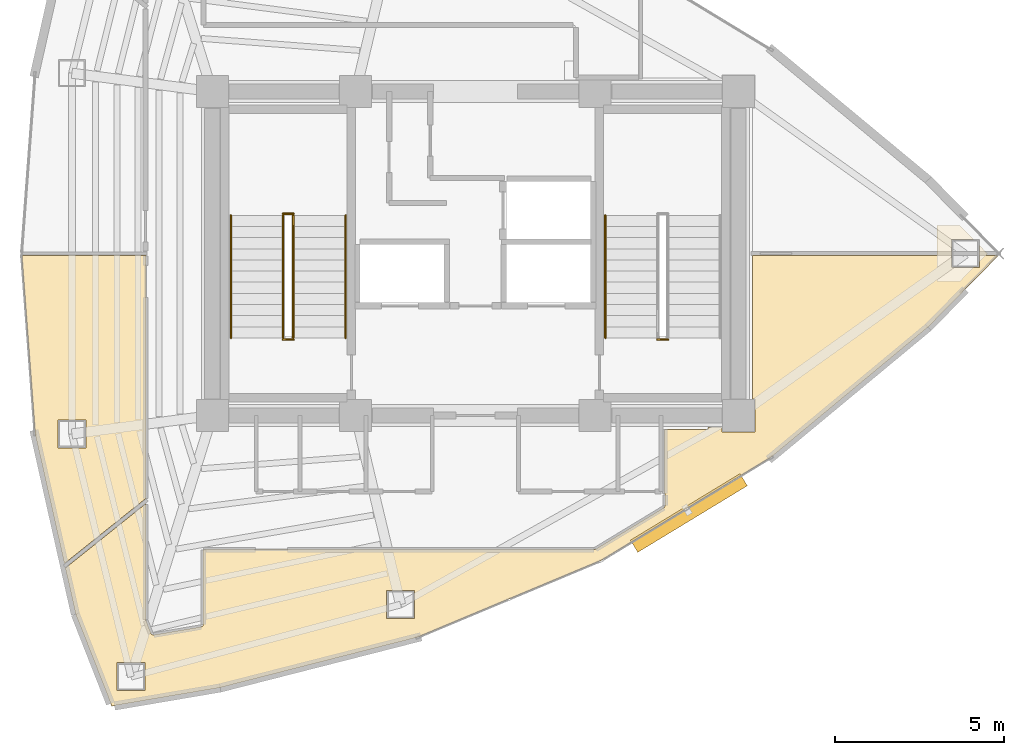
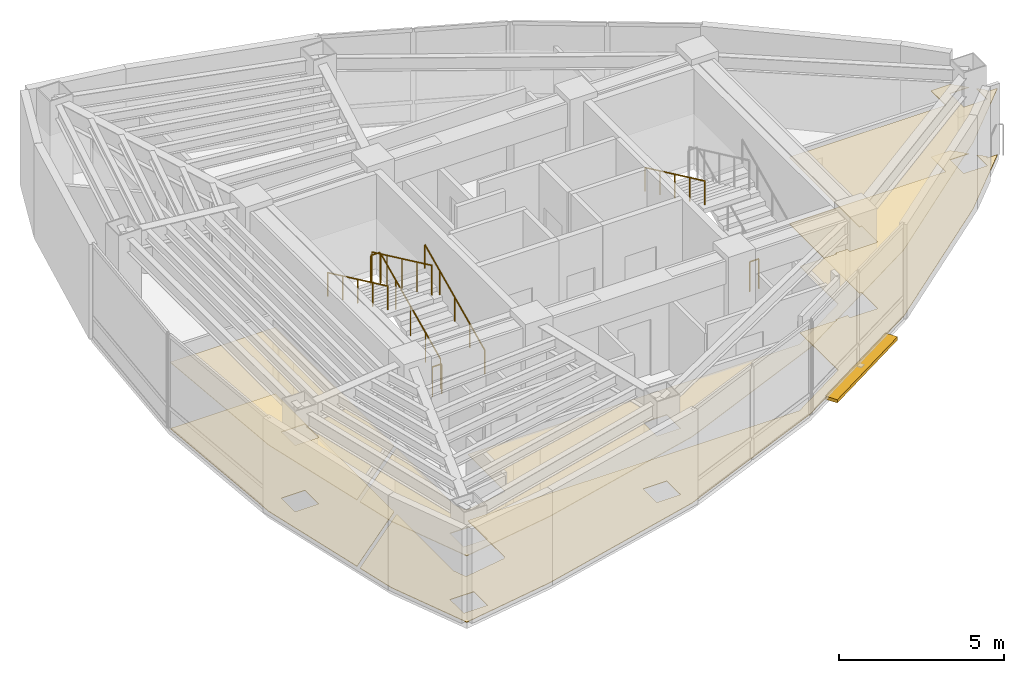
# One storey, part 14 of 15: 8 railings, 4 coverings, 1 shading device.
"""IFC4 building model written with IfcOpenShell, lengths in metres."""

from ifc_helpers import new_model, si_unit, direction, frame, origin, origin_2d, place, context, subcontext, project, spatial, polyline, rectangle, circle, outline, extrude, material, layer, layer_set, type_object, element, save


model = new_model("IFC4")

# Units and contexts
model_context = context("Model", 3, precision=1e-05, world=origin(), true_north=direction((0.0, 1.0)))
body_context = subcontext(model_context, "Body", "Model", "MODEL_VIEW")
ifc_project = project(units=[si_unit("LENGTHUNIT", "METRE"), si_unit("AREAUNIT", "SQUARE_METRE"), si_unit("VOLUMEUNIT", "CUBIC_METRE"), si_unit("PLANEANGLEUNIT", "RADIAN"), si_unit("MASSUNIT", "GRAM", prefix="KILO")], contexts=[model_context])

# Site, building, storey
site_placement = place(None, origin())
site = spatial("IfcSite", under=ifc_project, at=site_placement, CompositionType="ELEMENT")
building_placement = place(site_placement, origin())
building = spatial("IfcBuilding", under=site, at=building_placement, Name="Menara Vayukalpa", CompositionType="ELEMENT")
storey_placement = place(building_placement, frame((0.0, 0.0, 262.02001953125)))
storey = spatial("IfcBuildingStorey", under=building, at=storey_placement, Name="L66", CompositionType="ELEMENT", Elevation=262.02001953125)

# Coverings
ifc_material_1 = material(Name="Mineral Fibre Acoustic Ceiling Tile", Category="masonry")
ifc_layer_1 = layer(ifc_material_1, 0.02490234375)
ifc_layer_set_1 = layer_set([ifc_layer_1], Name="Mineral Fibre Acoustic Ceiling Tile")
covering_type_1 = type_object("IfcCoveringType", Name="COV-CLG1", PredefinedType="CEILING", material=ifc_layer_set_1)
covering_1_placement = place(storey_placement, frame((0.0, 0.0, 2.449951171875)))
element("IfcCovering", 1, at=covering_1_placement, inside=storey, type_object=covering_type_1, Name="L66 Technical Reference Library Acoustic Ceiling", PredefinedType="CEILING", context=body_context, shape_type="SweptSolid", body=[
    extrude(outline(polyline([(12.1533203125, 21.92919921875), (12.1533203125, 21.93017578125), (12.1533203125, 21.93115234375), (12.153564453125, 21.93212890625), (12.15380859375, 21.93310546875), (12.154052734375, 21.93408203125), (12.154541015625, 21.934814453125), (12.155029296875, 21.935791015625), (12.155517578125, 21.936279296875), (12.15625, 21.93701171875), (12.156982421875, 21.937744140625), (12.15771484375, 21.9384765625), (12.15869140625, 21.93896484375), (12.159423828125, 21.939208984375), (12.160400390625, 21.939697265625), (12.161376953125, 21.939697265625), (12.162353515625, 21.93994140625), (12.163330078125, 21.93994140625), (15.820068359375, 21.93994140625), (15.821044921875, 21.93994140625), (15.822021484375, 21.939697265625), (15.822998046875, 21.939697265625), (15.82373046875, 21.939208984375), (15.82470703125, 21.938720703125), (15.82568359375, 21.938232421875), (15.826416015625, 21.937744140625), (15.8271484375, 21.93701171875), (15.82763671875, 21.936279296875), (15.828369140625, 21.935546875), (15.828857421875, 21.934814453125), (15.8291015625, 21.933837890625), (15.82958984375, 21.932861328125), (15.829833984375, 21.931884765625), (15.830078125, 21.930908203125), (15.830078125, 21.929931640625), (15.830078125, 14.74560546875), (15.830078125, 14.74462890625), (15.829833984375, 14.74365234375), (15.82958984375, 14.74267578125), (15.8291015625, 14.74169921875), (15.828857421875, 14.74072265625), (15.828369140625, 14.739990234375), (15.82763671875, 14.7392578125), (15.826904296875, 14.738525390625), (15.826171875, 14.73779296875), (13.4267578125, 12.818359375), (13.426025390625, 12.817626953125), (13.42529296875, 12.817138671875), (13.42431640625, 12.81689453125), (13.423583984375, 12.81640625), (13.422607421875, 12.81640625), (13.421630859375, 12.816162109375), (13.420654296875, 12.816162109375), (13.419677734375, 12.816162109375), (13.418701171875, 12.81640625), (13.417724609375, 12.81640625), (13.416748046875, 12.81689453125), (13.416015625, 12.817138671875), (13.4150390625, 12.817626953125), (13.414306640625, 12.818359375), (13.41357421875, 12.81884765625), (13.4130859375, 12.819580078125), (13.412353515625, 12.8203125), (13.411865234375, 12.8212890625), (13.411376953125, 12.822021484375), (13.4111328125, 12.822998046875), (13.410888671875, 12.823974609375), (12.549072265625, 16.654052734375), (12.548828125, 16.655517578125), (12.1533203125, 21.92919921875)]), holes=[polyline([(14.053955078125, 17.068359375), (13.22412109375, 17.068359375), (13.22412109375, 16.23828125), (14.053955078125, 16.23828125), (14.053955078125, 17.068359375)])]), origin(), (0.0, 0.0, 1.0), 0.025146484375),
])
covering_2_placement = place(storey_placement, frame((0.0, 0.0, 2.449951171875)))
element("IfcCovering", 2, at=covering_2_placement, inside=storey, type_object=covering_type_1, Name="L66 Technical Reference Library Acoustic Ceiling", PredefinedType="CEILING", context=body_context, shape_type="SweptSolid", body=[
    extrude(outline(polyline([(23.878662109375, 10.624755859375), (23.877197265625, 10.624267578125), (18.028564453125, 9.1328125), (18.027587890625, 9.132568359375), (14.82861328125, 8.58935546875), (14.827392578125, 8.589111328125), (14.826416015625, 8.589111328125), (14.82568359375, 8.58935546875), (14.82470703125, 8.58935546875), (14.82373046875, 8.589599609375), (14.82275390625, 8.590087890625), (14.822021484375, 8.590576171875), (14.821044921875, 8.591064453125), (14.8203125, 8.591552734375), (14.819580078125, 8.59228515625), (14.81884765625, 8.593017578125), (14.818359375, 8.59375), (14.81787109375, 8.5947265625), (14.8173828125, 8.595458984375), (13.751953125, 11.308837890625), (13.751708984375, 11.309814453125), (13.75146484375, 11.310302734375), (13.445068359375, 12.672119140625), (13.44482421875, 12.673095703125), (13.44482421875, 12.674072265625), (13.44482421875, 12.675048828125), (13.445068359375, 12.676025390625), (13.4453125, 12.677001953125), (13.445556640625, 12.677978515625), (13.44580078125, 12.6787109375), (13.4462890625, 12.6796875), (13.447021484375, 12.680419921875), (13.44775390625, 12.68115234375), (13.448486328125, 12.681884765625), (13.448974609375, 12.682373046875), (13.44921875, 12.6826171875), (15.813720703125, 14.57421875), (15.814453125, 14.57470703125), (15.8154296875, 14.5751953125), (15.81640625, 14.57568359375), (15.817138671875, 14.575927734375), (15.818115234375, 14.576171875), (15.819091796875, 14.576416015625), (15.820068359375, 14.576416015625), (15.821044921875, 14.576416015625), (15.822021484375, 14.576171875), (15.822998046875, 14.575927734375), (15.823974609375, 14.57568359375), (15.82470703125, 14.5751953125), (15.82568359375, 14.57470703125), (15.826416015625, 14.57421875), (15.8271484375, 14.573486328125), (15.827880859375, 14.57275390625), (15.828369140625, 14.572021484375), (15.828857421875, 14.571044921875), (15.8291015625, 14.5703125), (15.82958984375, 14.5693359375), (15.829833984375, 14.568359375), (15.830078125, 14.5673828125), (15.830078125, 14.56640625), (15.830078125, 11.146484375), (15.830322265625, 11.1396484375), (15.831298828125, 11.13330078125), (15.832763671875, 11.126708984375), (15.8349609375, 11.12060546875), (15.984619140625, 10.7392578125), (15.987548828125, 10.732666015625), (15.990966796875, 10.726806640625), (15.994873046875, 10.72119140625), (15.999267578125, 10.716064453125), (16.00439453125, 10.71142578125), (16.009765625, 10.707275390625), (16.015625, 10.70361328125), (16.021484375, 10.700439453125), (16.02783203125, 10.697998046875), (16.034423828125, 10.6962890625), (16.041259765625, 10.695068359375), (16.048095703125, 10.694580078125), (16.054931640625, 10.694580078125), (16.06201171875, 10.695556640625), (17.471435546875, 10.934814453125), (17.478515625, 10.936279296875), (17.485107421875, 10.938720703125), (17.49169921875, 10.94140625), (17.497802734375, 10.94482421875), (17.50341796875, 10.94921875), (17.5087890625, 10.95361328125), (17.513427734375, 10.958740234375), (17.517822265625, 10.96435546875), (17.521484375, 10.97021484375), (17.5244140625, 10.9765625), (17.52685546875, 10.983154296875), (17.528564453125, 10.989990234375), (17.529541015625, 10.996826171875), (17.530029296875, 11.004150390625), (17.530029296875, 13.2099609375), (17.530029296875, 13.2109375), (17.5302734375, 13.2119140625), (17.530517578125, 13.212890625), (17.53076171875, 13.2138671875), (17.53125, 13.214599609375), (17.53173828125, 13.215576171875), (17.5322265625, 13.21630859375), (17.532958984375, 13.217041015625), (17.53369140625, 13.2177734375), (17.534423828125, 13.21826171875), (17.535400390625, 13.21875), (17.5361328125, 13.21923828125), (17.537109375, 13.219482421875), (17.5380859375, 13.2197265625), (17.5390625, 13.219970703125), (17.5400390625, 13.219970703125), (29.109619140625, 13.219970703125), (29.11669921875, 13.220458984375), (29.12353515625, 13.221435546875), (29.13037109375, 13.22314453125), (29.13720703125, 13.2255859375), (29.153076171875, 13.232177734375), (29.157958984375, 13.234375), (29.16259765625, 13.237060546875), (31.18603515625, 14.46630859375), (31.1923828125, 14.470458984375), (31.19775390625, 14.47509765625), (31.20263671875, 14.480224609375), (31.20703125, 14.48583984375), (31.2109375, 14.491943359375), (31.214111328125, 14.498291015625), (31.216552734375, 14.5048828125), (31.218505859375, 14.511962890625), (31.219482421875, 14.51904296875), (31.219970703125, 14.5263671875), (31.219970703125, 14.849609375), (31.219482421875, 14.856689453125), (31.21875, 14.86376953125), (31.217041015625, 14.870361328125), (31.214599609375, 14.876708984375), (31.2119140625, 14.8828125), (31.211669921875, 14.883056640625), (31.211181640625, 14.8837890625), (31.210693359375, 14.884765625), (31.21044921875, 14.8857421875), (31.210205078125, 14.88671875), (31.2099609375, 14.8876953125), (31.2099609375, 14.888671875), (31.2099609375, 16.780029296875), (31.2099609375, 16.781005859375), (31.210205078125, 16.781982421875), (31.21044921875, 16.782958984375), (31.210693359375, 16.78369140625), (31.211181640625, 16.78466796875), (31.211669921875, 16.78564453125), (31.21240234375, 16.786376953125), (31.212890625, 16.787109375), (31.213623046875, 16.78759765625), (31.21435546875, 16.788330078125), (31.21533203125, 16.788818359375), (31.21630859375, 16.789306640625), (31.217041015625, 16.78955078125), (31.218017578125, 16.789794921875), (31.218994140625, 16.7900390625), (31.219970703125, 16.7900390625), (32.489990234375, 16.7900390625), (32.489990234375, 16.85009765625), (32.909912109375, 16.85009765625), (32.909912109375, 16.7099609375), (33.889892578125, 16.7099609375), (33.889892578125, 17.68994140625), (33.81005859375, 17.68994140625), (33.81005859375, 21.929931640625), (33.81005859375, 21.930908203125), (33.810302734375, 21.931884765625), (33.810302734375, 21.932861328125), (33.810791015625, 21.933837890625), (33.811279296875, 21.934814453125), (33.811767578125, 21.935546875), (33.812255859375, 21.936279296875), (33.81298828125, 21.93701171875), (33.813720703125, 21.937744140625), (33.814453125, 21.938232421875), (33.815185546875, 21.938720703125), (33.816162109375, 21.939208984375), (33.817138671875, 21.939697265625), (33.818115234375, 21.939697265625), (33.819091796875, 21.93994140625), (33.820068359375, 21.93994140625), (39.286865234375, 21.93994140625), (39.286865234375, 22.8349609375), (39.959716796875, 22.8349609375), (40.3720703125, 22.4150390625), (39.706787109375, 22.4150390625), (39.706787109375, 21.5849609375), (40.536865234375, 21.5849609375), (40.536865234375, 22.2470703125), (40.779541015625, 22.0), (40.720703125, 21.93994140625), (41.0751953125, 21.93994140625), (41.076171875, 21.93994140625), (41.076904296875, 21.939697265625), (41.077880859375, 21.939697265625), (41.078857421875, 21.939208984375), (41.079833984375, 21.938720703125), (41.08056640625, 21.938232421875), (41.081298828125, 21.937744140625), (41.08203125, 21.93701171875), (41.082763671875, 21.936279296875), (41.08349609375, 21.935546875), (41.083984375, 21.934814453125), (41.084228515625, 21.933837890625), (41.084716796875, 21.93310546875), (41.0849609375, 21.931884765625), (41.0849609375, 21.930908203125), (41.085205078125, 21.93017578125), (41.085205078125, 21.92919921875), (41.0849609375, 21.927978515625), (41.084716796875, 21.92724609375), (41.08447265625, 21.92626953125), (41.083984375, 21.92529296875), (41.08349609375, 21.924560546875), (41.0830078125, 21.923583984375), (41.082275390625, 21.923095703125), (39.021240234375, 19.82373046875), (39.0205078125, 19.822998046875), (34.374755859375, 15.97021484375), (34.37353515625, 15.969482421875), (29.3271484375, 12.904052734375), (29.326416015625, 12.90380859375), (29.32568359375, 12.9033203125), (23.878662109375, 10.624755859375)]), holes=[polyline([(14.97412109375, 9.870361328125), (14.97412109375, 9.040283203125), (15.80419921875, 9.040283203125), (15.80419921875, 9.870361328125), (14.97412109375, 9.870361328125)]), polyline([(23.796875, 12.01025390625), (22.966796875, 12.01025390625), (22.966796875, 11.18017578125), (23.796875, 11.18017578125), (23.796875, 12.01025390625)])]), origin(), (0.0, 0.0, 1.0), 0.025146484375),
])
ifc_material_2 = material(Name="Porcelain Stoneware Floor Tile", Category="masonry")
ifc_layer_2 = layer(ifc_material_2, 0.02001953125)
ifc_layer_set_2 = layer_set([ifc_layer_2], Name="Porcelain Stoneware Floor Tile")
covering_type_2 = type_object("IfcCoveringType", Name="COV-FLR1", PredefinedType="FLOORING", material=ifc_layer_set_2)
covering_3_placement = place(storey_placement, origin())
element("IfcCovering", 3, at=covering_3_placement, inside=storey, type_object=covering_type_2, Name="L66 Technical Reference Library Porcelain Flooring", PredefinedType="FLOORING", context=body_context, shape_type="SweptSolid", body=[
    extrude(outline(polyline([(12.1533203125, 21.92919921875), (12.1533203125, 21.93017578125), (12.1533203125, 21.93115234375), (12.153564453125, 21.93212890625), (12.15380859375, 21.93310546875), (12.154052734375, 21.93408203125), (12.154541015625, 21.934814453125), (12.155029296875, 21.935791015625), (12.155517578125, 21.936279296875), (12.15625, 21.93701171875), (12.156982421875, 21.937744140625), (12.15771484375, 21.9384765625), (12.15869140625, 21.93896484375), (12.159423828125, 21.939208984375), (12.160400390625, 21.939697265625), (12.161376953125, 21.939697265625), (12.162353515625, 21.93994140625), (12.163330078125, 21.93994140625), (15.820068359375, 21.93994140625), (15.821044921875, 21.93994140625), (15.822021484375, 21.939697265625), (15.822998046875, 21.939697265625), (15.82373046875, 21.939208984375), (15.82470703125, 21.938720703125), (15.82568359375, 21.938232421875), (15.826416015625, 21.937744140625), (15.8271484375, 21.93701171875), (15.82763671875, 21.936279296875), (15.828369140625, 21.935546875), (15.828857421875, 21.934814453125), (15.8291015625, 21.933837890625), (15.82958984375, 21.932861328125), (15.829833984375, 21.931884765625), (15.830078125, 21.930908203125), (15.830078125, 21.929931640625), (15.830078125, 14.74560546875), (15.830078125, 14.74462890625), (15.829833984375, 14.74365234375), (15.82958984375, 14.74267578125), (15.8291015625, 14.74169921875), (15.828857421875, 14.74072265625), (15.828369140625, 14.739990234375), (15.82763671875, 14.7392578125), (15.826904296875, 14.738525390625), (15.826171875, 14.73779296875), (13.4267578125, 12.818359375), (13.426025390625, 12.817626953125), (13.42529296875, 12.817138671875), (13.42431640625, 12.81689453125), (13.423583984375, 12.81640625), (13.422607421875, 12.81640625), (13.421630859375, 12.816162109375), (13.420654296875, 12.816162109375), (13.419677734375, 12.816162109375), (13.418701171875, 12.81640625), (13.417724609375, 12.81640625), (13.416748046875, 12.81689453125), (13.416015625, 12.817138671875), (13.4150390625, 12.817626953125), (13.414306640625, 12.818359375), (13.41357421875, 12.81884765625), (13.4130859375, 12.819580078125), (13.412353515625, 12.8203125), (13.411865234375, 12.8212890625), (13.411376953125, 12.822021484375), (13.4111328125, 12.822998046875), (13.410888671875, 12.823974609375), (12.549072265625, 16.654052734375), (12.548828125, 16.655517578125), (12.1533203125, 21.92919921875)]), holes=[polyline([(14.053955078125, 17.068359375), (13.22412109375, 17.068359375), (13.22412109375, 16.23828125), (14.053955078125, 16.23828125), (14.053955078125, 17.068359375)])]), origin(), (0.0, 0.0, 1.0), 0.02001953125),
])
covering_4_placement = place(storey_placement, origin())
element("IfcCovering", 4, at=covering_4_placement, inside=storey, type_object=covering_type_2, Name="L66 Technical Reference Library Porcelain Flooring", PredefinedType="FLOORING", context=body_context, shape_type="SweptSolid", body=[
    extrude(outline(polyline([(23.878662109375, 10.624755859375), (23.877197265625, 10.624267578125), (18.028564453125, 9.1328125), (18.027587890625, 9.132568359375), (14.82861328125, 8.58935546875), (14.827392578125, 8.589111328125), (14.826416015625, 8.589111328125), (14.82568359375, 8.58935546875), (14.82470703125, 8.58935546875), (14.82373046875, 8.589599609375), (14.82275390625, 8.590087890625), (14.822021484375, 8.590576171875), (14.821044921875, 8.591064453125), (14.8203125, 8.591552734375), (14.819580078125, 8.59228515625), (14.81884765625, 8.593017578125), (14.818359375, 8.59375), (14.81787109375, 8.5947265625), (14.8173828125, 8.595458984375), (13.751953125, 11.308837890625), (13.751708984375, 11.309814453125), (13.75146484375, 11.310302734375), (13.445068359375, 12.672119140625), (13.44482421875, 12.673095703125), (13.44482421875, 12.674072265625), (13.44482421875, 12.675048828125), (13.445068359375, 12.676025390625), (13.4453125, 12.677001953125), (13.445556640625, 12.677978515625), (13.44580078125, 12.6787109375), (13.4462890625, 12.6796875), (13.447021484375, 12.680419921875), (13.44775390625, 12.68115234375), (13.448486328125, 12.681884765625), (13.448974609375, 12.682373046875), (13.44921875, 12.6826171875), (15.813720703125, 14.57421875), (15.814453125, 14.57470703125), (15.8154296875, 14.5751953125), (15.81640625, 14.57568359375), (15.817138671875, 14.575927734375), (15.818115234375, 14.576171875), (15.819091796875, 14.576416015625), (15.820068359375, 14.576416015625), (15.821044921875, 14.576416015625), (15.822021484375, 14.576171875), (15.822998046875, 14.575927734375), (15.823974609375, 14.57568359375), (15.82470703125, 14.5751953125), (15.82568359375, 14.57470703125), (15.826416015625, 14.57421875), (15.8271484375, 14.573486328125), (15.827880859375, 14.57275390625), (15.828369140625, 14.572021484375), (15.828857421875, 14.571044921875), (15.8291015625, 14.5703125), (15.82958984375, 14.5693359375), (15.829833984375, 14.568359375), (15.830078125, 14.5673828125), (15.830078125, 14.56640625), (15.830078125, 11.146484375), (15.830322265625, 11.1396484375), (15.831298828125, 11.13330078125), (15.832763671875, 11.126708984375), (15.8349609375, 11.12060546875), (15.984619140625, 10.7392578125), (15.987548828125, 10.732666015625), (15.990966796875, 10.726806640625), (15.994873046875, 10.72119140625), (15.999267578125, 10.716064453125), (16.00439453125, 10.71142578125), (16.009765625, 10.707275390625), (16.015625, 10.70361328125), (16.021484375, 10.700439453125), (16.02783203125, 10.697998046875), (16.034423828125, 10.6962890625), (16.041259765625, 10.695068359375), (16.048095703125, 10.694580078125), (16.054931640625, 10.694580078125), (16.06201171875, 10.695556640625), (17.471435546875, 10.934814453125), (17.478515625, 10.936279296875), (17.485107421875, 10.938720703125), (17.49169921875, 10.94140625), (17.497802734375, 10.94482421875), (17.50341796875, 10.94921875), (17.5087890625, 10.95361328125), (17.513427734375, 10.958740234375), (17.517822265625, 10.96435546875), (17.521484375, 10.97021484375), (17.5244140625, 10.9765625), (17.52685546875, 10.983154296875), (17.528564453125, 10.989990234375), (17.529541015625, 10.996826171875), (17.530029296875, 11.004150390625), (17.530029296875, 13.2099609375), (17.530029296875, 13.2109375), (17.5302734375, 13.2119140625), (17.530517578125, 13.212890625), (17.53076171875, 13.2138671875), (17.53125, 13.214599609375), (17.53173828125, 13.215576171875), (17.5322265625, 13.21630859375), (17.532958984375, 13.217041015625), (17.53369140625, 13.2177734375), (17.534423828125, 13.21826171875), (17.535400390625, 13.21875), (17.5361328125, 13.21923828125), (17.537109375, 13.219482421875), (17.5380859375, 13.2197265625), (17.5390625, 13.219970703125), (17.5400390625, 13.219970703125), (29.109619140625, 13.219970703125), (29.11669921875, 13.220458984375), (29.12353515625, 13.221435546875), (29.13037109375, 13.22314453125), (29.13720703125, 13.2255859375), (29.153076171875, 13.232177734375), (29.157958984375, 13.234375), (29.16259765625, 13.237060546875), (31.18603515625, 14.46630859375), (31.1923828125, 14.470458984375), (31.19775390625, 14.47509765625), (31.20263671875, 14.480224609375), (31.20703125, 14.48583984375), (31.2109375, 14.491943359375), (31.214111328125, 14.498291015625), (31.216552734375, 14.5048828125), (31.218505859375, 14.511962890625), (31.219482421875, 14.51904296875), (31.219970703125, 14.5263671875), (31.219970703125, 14.849609375), (31.219482421875, 14.856689453125), (31.21875, 14.86376953125), (31.217041015625, 14.870361328125), (31.214599609375, 14.876708984375), (31.2119140625, 14.8828125), (31.211669921875, 14.883056640625), (31.211181640625, 14.8837890625), (31.210693359375, 14.884765625), (31.21044921875, 14.8857421875), (31.210205078125, 14.88671875), (31.2099609375, 14.8876953125), (31.2099609375, 14.888671875), (31.2099609375, 16.780029296875), (31.2099609375, 16.781005859375), (31.210205078125, 16.781982421875), (31.21044921875, 16.782958984375), (31.210693359375, 16.78369140625), (31.211181640625, 16.78466796875), (31.211669921875, 16.78564453125), (31.21240234375, 16.786376953125), (31.212890625, 16.787109375), (31.213623046875, 16.78759765625), (31.21435546875, 16.788330078125), (31.21533203125, 16.788818359375), (31.21630859375, 16.789306640625), (31.217041015625, 16.78955078125), (31.218017578125, 16.789794921875), (31.218994140625, 16.7900390625), (31.219970703125, 16.7900390625), (32.489990234375, 16.7900390625), (32.489990234375, 16.85009765625), (32.909912109375, 16.85009765625), (32.909912109375, 16.7099609375), (33.889892578125, 16.7099609375), (33.889892578125, 17.68994140625), (33.81005859375, 17.68994140625), (33.81005859375, 21.929931640625), (33.81005859375, 21.930908203125), (33.810302734375, 21.931884765625), (33.810302734375, 21.932861328125), (33.810791015625, 21.933837890625), (33.811279296875, 21.934814453125), (33.811767578125, 21.935546875), (33.812255859375, 21.936279296875), (33.81298828125, 21.93701171875), (33.813720703125, 21.937744140625), (33.814453125, 21.938232421875), (33.815185546875, 21.938720703125), (33.816162109375, 21.939208984375), (33.817138671875, 21.939697265625), (33.818115234375, 21.939697265625), (33.819091796875, 21.93994140625), (33.820068359375, 21.93994140625), (39.286865234375, 21.93994140625), (39.286865234375, 22.8349609375), (39.959716796875, 22.8349609375), (40.3720703125, 22.4150390625), (39.706787109375, 22.4150390625), (39.706787109375, 21.5849609375), (40.536865234375, 21.5849609375), (40.536865234375, 22.2470703125), (40.779541015625, 22.0), (40.720703125, 21.93994140625), (41.0751953125, 21.93994140625), (41.076171875, 21.93994140625), (41.076904296875, 21.939697265625), (41.077880859375, 21.939697265625), (41.078857421875, 21.939208984375), (41.079833984375, 21.938720703125), (41.08056640625, 21.938232421875), (41.081298828125, 21.937744140625), (41.08203125, 21.93701171875), (41.082763671875, 21.936279296875), (41.08349609375, 21.935546875), (41.083984375, 21.934814453125), (41.084228515625, 21.933837890625), (41.084716796875, 21.93310546875), (41.0849609375, 21.931884765625), (41.0849609375, 21.930908203125), (41.085205078125, 21.93017578125), (41.085205078125, 21.92919921875), (41.0849609375, 21.927978515625), (41.084716796875, 21.92724609375), (41.08447265625, 21.92626953125), (41.083984375, 21.92529296875), (41.08349609375, 21.924560546875), (41.0830078125, 21.923583984375), (41.082275390625, 21.923095703125), (39.021240234375, 19.82373046875), (39.0205078125, 19.822998046875), (34.374755859375, 15.97021484375), (34.37353515625, 15.969482421875), (29.3271484375, 12.904052734375), (29.326416015625, 12.90380859375), (29.32568359375, 12.9033203125), (23.878662109375, 10.624755859375)]), holes=[polyline([(14.97412109375, 9.870361328125), (14.97412109375, 9.040283203125), (15.80419921875, 9.040283203125), (15.80419921875, 9.870361328125), (14.97412109375, 9.870361328125)]), polyline([(23.796875, 12.01025390625), (22.966796875, 12.01025390625), (22.966796875, 11.18017578125), (23.796875, 11.18017578125), (23.796875, 12.01025390625)])]), origin(), (0.0, 0.0, 1.0), 0.02001953125),
])

# Railings
ifc_material_3 = material(Name="Powder-Coated Galvanised Steel Guardrail", Category="steel")
railing_type_1 = type_object("IfcRailingType", Name="RLG-STG110", PredefinedType="GUARDRAIL", material=ifc_material_3)
railing_1_placement = place(storey_placement, frame((20.199951171875, 19.5, 0.155029296875)))
element("IfcRailing", 5, at=railing_1_placement, inside=storey, type_object=railing_type_1, Name="L66 ST-1 stair guard 1", PredefinedType="GUARDRAIL", context=body_context, shape_type="SweptSolid", body=[
    extrude(circle(Radius=0.02392578125, at=origin_2d()), frame((0.0, 0.0, 1.09619140625), z_axis=(0.0, 0.90513990983, 0.425113800803), x_axis=(-1.0, 0.0, 0.0)), (0.0, 0.0, 1.0), 4.01025390625),
    extrude(circle(Radius=0.02099609375, at=origin_2d()), origin(), (0.0, 0.0, 1.0), 1.072021484375),
    extrude(circle(Radius=0.02099609375, at=origin_2d()), frame((0.0, 0.907470703125, 0.42626953125)), (0.0, 0.0, 1.0), 1.072021484375),
    extrude(circle(Radius=0.02099609375, at=origin_2d()), frame((0.0, 1.81494140625, 0.8525390625)), (0.0, 0.0, 1.0), 1.072021484375),
    extrude(circle(Radius=0.02099609375, at=origin_2d()), frame((0.0, 2.722412109375, 1.278564453125)), (0.0, 0.0, 1.0), 1.072021484375),
    extrude(circle(Radius=0.02099609375, at=origin_2d()), frame((0.0, 3.6298828125, 1.704833984375)), (0.0, 0.0, 1.0), 1.072021484375),
])
railing_2_placement = place(storey_placement, frame((20.2099609375, 23.179931640625, 1.85986328125)))
element("IfcRailing", 6, at=railing_2_placement, inside=storey, type_object=railing_type_1, Name="L66 ST-1 stair guard 2", PredefinedType="GUARDRAIL", context=body_context, shape_type="SweptSolid", body=[
    extrude(circle(Radius=0.02392578125, at=origin_2d()), frame((0.0, 0.0, 1.09619140625), z_axis=(-1.0, 0.0, 0.0), x_axis=(0.0, -1.0, 0.0)), (0.0, 0.0, 1.0), 0.320068359375),
    extrude(circle(Radius=0.02099609375, at=origin_2d()), origin(), (0.0, 0.0, 1.0), 1.072021484375),
    extrude(circle(Radius=0.02099609375, at=origin_2d()), frame((-0.320068359375, 0.0, 0.0)), (0.0, 0.0, 1.0), 1.072021484375),
])
railing_3_placement = place(storey_placement, frame((19.89990234375, 23.1298828125, 2.014892578125)))
element("IfcRailing", 7, at=railing_3_placement, inside=storey, type_object=railing_type_1, Name="L66 ST-1 stair guard 3", PredefinedType="GUARDRAIL", context=body_context, shape_type="SweptSolid", body=[
    extrude(circle(Radius=0.02392578125, at=origin_2d()), frame((0.0, 0.0, 1.09619140625), z_axis=(0.0, -0.90511648382, 0.425163675209), x_axis=(1.0, 0.0, 0.0)), (0.0, 0.0, 1.0), 4.010498046875),
    extrude(circle(Radius=0.02099609375, at=origin_2d()), origin(), (0.0, 0.0, 1.0), 1.072021484375),
    extrude(circle(Radius=0.02099609375, at=origin_2d()), frame((0.0, -0.907470703125, 0.42626953125)), (0.0, 0.0, 1.0), 1.072021484375),
    extrude(circle(Radius=0.02099609375, at=origin_2d()), frame((0.0, -1.81494140625, 0.8525390625)), (0.0, 0.0, 1.0), 1.072021484375),
    extrude(circle(Radius=0.02099609375, at=origin_2d()), frame((0.0, -2.722412109375, 1.27880859375)), (0.0, 0.0, 1.0), 1.072021484375),
    extrude(circle(Radius=0.02099609375, at=origin_2d()), frame((0.0, -3.6298828125, 1.705078125)), (0.0, 0.0, 1.0), 1.072021484375),
])
for number, where, name in (
    (8, (20.2099609375, 19.449951171875, 0.0), "L66 ST-1 stair guard 4"),
    (9, (31.31005859375, 19.449951171875, 0.0), "L66 ST-2 stair guard 4"),
):
    element("IfcRailing", number, at=place(storey_placement, frame(where)), inside=storey, type_object=railing_type_1, Name=name, PredefinedType="GUARDRAIL", context=body_context, shape_type="SweptSolid", body=[
        extrude(circle(Radius=0.02392578125, at=origin_2d()), frame((0.0, 0.0, 1.09619140625), z_axis=(-1.0, 0.0, 0.0), x_axis=(0.0, -1.0, 0.0)), (0.0, 0.0, 1.0), 0.320068359375),
        extrude(circle(Radius=0.02099609375, at=origin_2d()), origin(), (0.0, 0.0, 1.0), 1.072021484375),
        extrude(circle(Radius=0.02099609375, at=origin_2d()), frame((-0.320068359375, 0.0, 0.0)), (0.0, 0.0, 1.0), 1.072021484375),
    ])
ifc_material_4 = material(Name="Stainless Steel 316 Tubular Handrail", Category="steel")
railing_type_2 = type_object("IfcRailingType", Name="RLG-STH090", PredefinedType="HANDRAIL", material=ifc_material_4)
railing_4_placement = place(storey_placement, frame((21.75, 19.5, 0.155029296875)))
element("IfcRailing", 10, at=railing_4_placement, inside=storey, type_object=railing_type_2, Name="L66 ST-1 stair handrail 1", PredefinedType="HANDRAIL", context=body_context, shape_type="SweptSolid", body=[
    extrude(circle(Radius=0.02392578125, at=origin_2d()), frame((0.0, 0.0, 0.8759765625), z_axis=(0.0, 0.90513990983, 0.425113800803), x_axis=(-1.0, 0.0, 0.0)), (0.0, 0.0, 1.0), 4.01025390625),
    extrude(circle(Radius=0.02099609375, at=origin_2d()), origin(), (0.0, 0.0, 1.0), 0.851806640625),
    extrude(circle(Radius=0.02099609375, at=origin_2d()), frame((0.0, 0.907470703125, 0.42626953125)), (0.0, 0.0, 1.0), 0.851806640625),
    extrude(circle(Radius=0.02099609375, at=origin_2d()), frame((0.0, 1.81494140625, 0.8525390625)), (0.0, 0.0, 1.0), 0.851806640625),
    extrude(circle(Radius=0.02099609375, at=origin_2d()), frame((0.0, 2.722412109375, 1.278564453125)), (0.0, 0.0, 1.0), 0.851806640625),
    extrude(circle(Radius=0.02099609375, at=origin_2d()), frame((0.0, 3.6298828125, 1.704833984375)), (0.0, 0.0, 1.0), 0.851806640625),
])
for number, where, name in (
    (11, (18.35009765625, 23.1298828125, 2.014892578125), "L66 ST-1 stair handrail 2"),
    (12, (29.449951171875, 23.1298828125, 2.014892578125), "L66 ST-2 stair handrail 2"),
):
    element("IfcRailing", number, at=place(storey_placement, frame(where)), inside=storey, type_object=railing_type_2, Name=name, PredefinedType="HANDRAIL", context=body_context, shape_type="SweptSolid", body=[
        extrude(circle(Radius=0.02392578125, at=origin_2d()), frame((0.0, 0.0, 0.8759765625), z_axis=(0.0, -0.90511648382, 0.425163675209), x_axis=(1.0, 0.0, 0.0)), (0.0, 0.0, 1.0), 4.010498046875),
        extrude(circle(Radius=0.02099609375, at=origin_2d()), origin(), (0.0, 0.0, 1.0), 0.851806640625),
        extrude(circle(Radius=0.02099609375, at=origin_2d()), frame((0.0, -0.907470703125, 0.42626953125)), (0.0, 0.0, 1.0), 0.851806640625),
        extrude(circle(Radius=0.02099609375, at=origin_2d()), frame((0.0, -1.81494140625, 0.8525390625)), (0.0, 0.0, 1.0), 0.851806640625),
        extrude(circle(Radius=0.02099609375, at=origin_2d()), frame((0.0, -2.722412109375, 1.27880859375)), (0.0, 0.0, 1.0), 0.851806640625),
        extrude(circle(Radius=0.02099609375, at=origin_2d()), frame((0.0, -3.6298828125, 1.705078125)), (0.0, 0.0, 1.0), 0.851806640625),
    ])

# Shading device
ifc_material_5 = material(Name="Glazed Terracotta Ceramic Baguette Extrusion", Category="masonry")
ifc_layer_3 = layer(ifc_material_5, 0.1201171875)
ifc_layer_set_3 = layer_set([ifc_layer_3], Name="Glazed Terracotta Ceramic Baguette Extrusion")
shading_device_type = type_object("IfcShadingDeviceType", Name="SHD-SS1", PredefinedType="USERDEFINED", material=ifc_layer_set_3)
shading_device_placement = place(storey_placement, frame((31.927978515625, 14.30859375, -0.10009765625), z_axis=(0.0, 0.0, 1.0), x_axis=(0.85466730962, 0.519176068272, 0.0)))
element("IfcShadingDevice", 13, at=shading_device_placement, inside=storey, type_object=shading_device_type, Name="L66 Horizontal Terracotta Sunshade Band 17", ObjectType="SUNSHADE", PredefinedType="USERDEFINED", context=body_context, shape_type="SweptSolid", body=[
    extrude(rectangle(XDim=3.800048828125, YDim=0.419921875, at=origin_2d()), origin(), (0.0, 0.0, 1.0), 0.1201171875),
])

save(model, "model.ifc")
